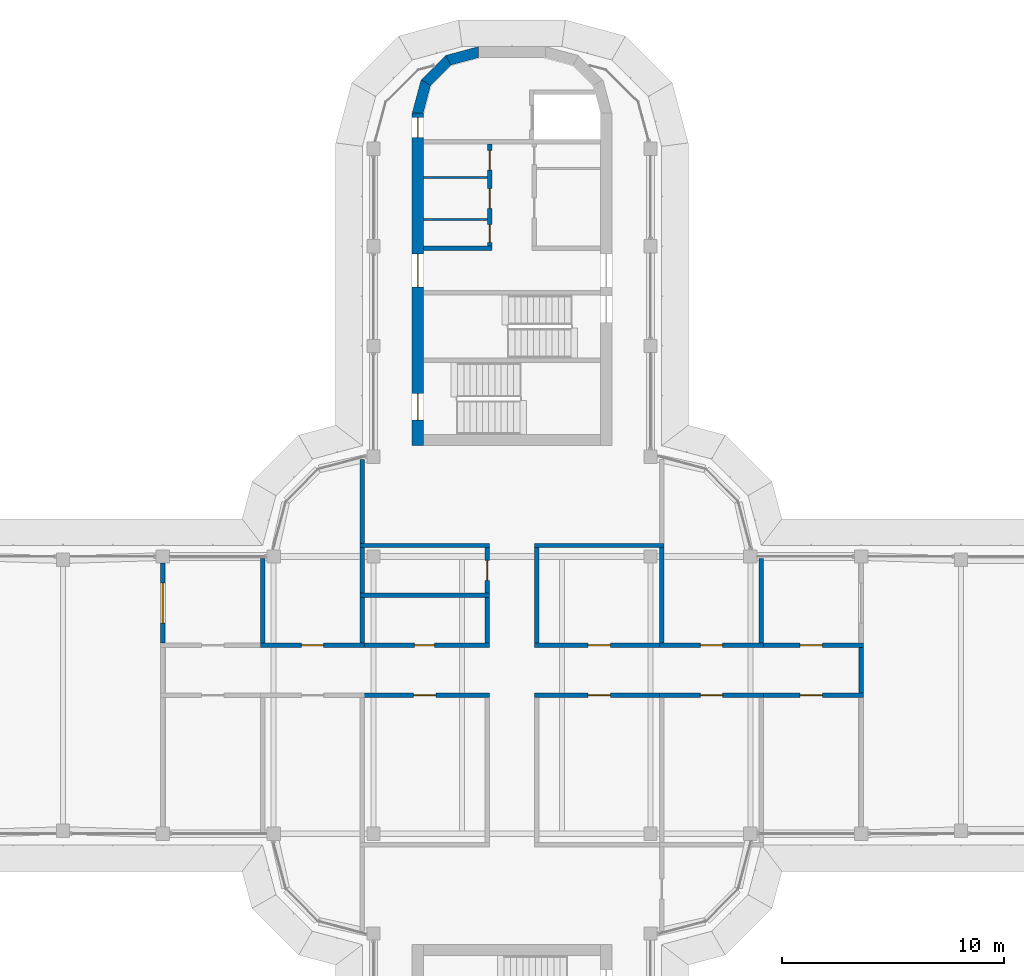
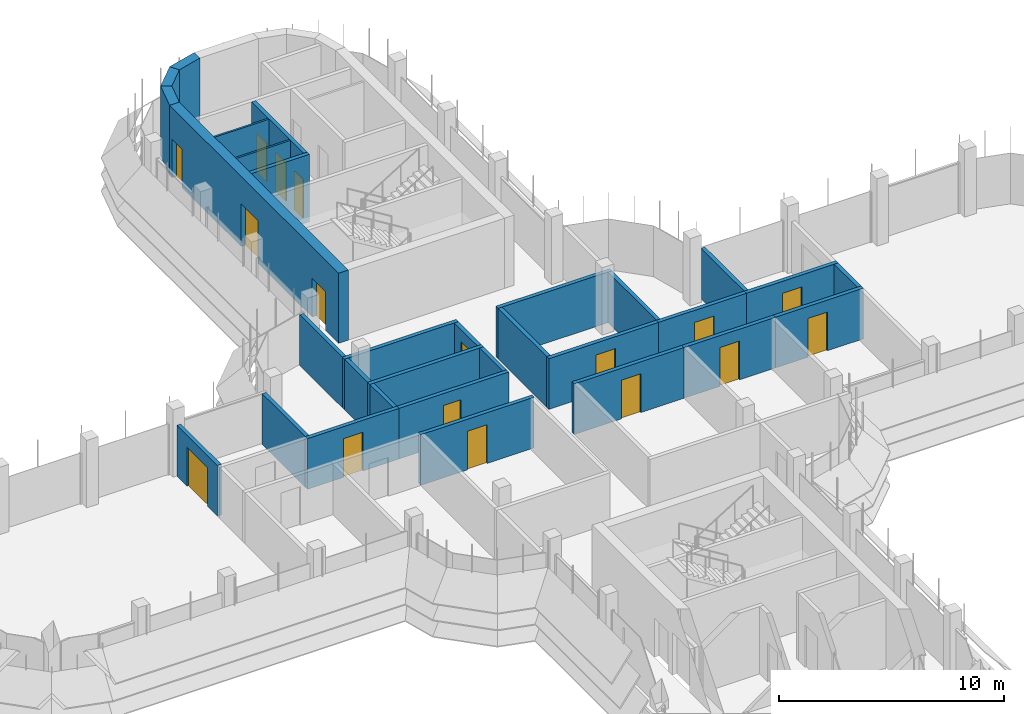
# One storey, part 14 of 19: 31 walls, 17 doors, 17 openings.
"""IFC4 building model written with IfcOpenShell, lengths in metres."""

from ifc_helpers import new_model, si_unit, direction, frame, frame_2d, origin, place, context, subcontext, project, spatial, polyline, rectangle, outline, extrude, material, layer, layer_set, type_object, element, fill, save


model = new_model("IFC4")

# Units and contexts
model_context = context("Model", 3, precision=1e-05, world=origin(), true_north=direction((0.0, 1.0)))
body_context = subcontext(model_context, "Body", "Model", "MODEL_VIEW")
ifc_project = project(units=[si_unit("LENGTHUNIT", "METRE"), si_unit("AREAUNIT", "SQUARE_METRE"), si_unit("VOLUMEUNIT", "CUBIC_METRE"), si_unit("PLANEANGLEUNIT", "RADIAN"), si_unit("MASSUNIT", "GRAM", prefix="KILO")], contexts=[model_context])

# Site, building, storey
site_placement = place(None, origin())
site = spatial("IfcSite", under=ifc_project, at=site_placement, CompositionType="ELEMENT")
building_placement = place(site_placement, origin())
building = spatial("IfcBuilding", under=site, at=building_placement, Name="Zarbagh Exchange Tower", CompositionType="ELEMENT")
storey_placement = place(building_placement, frame((0.0, 0.0, 257.39990234375)))
storey = spatial("IfcBuildingStorey", under=building, at=storey_placement, Name="L63", CompositionType="ELEMENT", Elevation=257.39990234375)

# Walls
ifc_material_1 = material(Name="Dense blockwork", Category="masonry")
ifc_layer_1 = layer(ifc_material_1, 0.10009765625)
ifc_layer_set_1 = layer_set([ifc_layer_1], Name="Core partition 100 mm blockwork")
wall_type_1 = type_object("IfcWallType", Name="Core partition 100 mm blockwork", PredefinedType="PARTITIONING", material=ifc_layer_set_1)
for number, where, z_axis, x_axis, name in (
    (1, (-4.0, 23.35009765625, 0.0), (0.0, 0.0, 1.0), (1.0, 0.0, 0.0), "North core partition wall CUT-W-500"),
    (2, (-4.0, 21.449951171875, 0.0), (0.0, 0.0, 1.0), (1.0, 0.0, 0.0), "North core partition wall CUT-W-690"),
):
    element("IfcWall", number, at=place(storey_placement, frame(where, z_axis=z_axis, x_axis=x_axis)), inside=storey, type_object=wall_type_1, Name=name, PredefinedType="PARTITIONING", context=body_context, shape_type="SweptSolid", body=[
        extrude(rectangle(XDim=2.89990234375, YDim=0.10009765625, at=frame_2d((1.449951171875, 0.0))), origin(), (0.0, 0.0, 1.0), 3.650146484375),
    ])

# Wall, opening, door
ifc_material_2 = material(Name="Fire-rated plasterboard partition")
ifc_layer_2 = layer(ifc_material_2, 0.199951171875)
ifc_layer_set_2 = layer_set([ifc_layer_2], Name="RATED PARTITION 200")
wall_type_2 = type_object("IfcWallType", Name="RATED PARTITION 200", PredefinedType="PARTITIONING", material=ifc_layer_set_2)
wall_1_placement = place(storey_placement, frame((1.02490234375, 2.25, 0.0), z_axis=(0.0, 0.0, 1.0), x_axis=(1.0, 0.0, 0.0)))
wall_1 = element("IfcWall", 3, at=wall_1_placement, inside=storey, type_object=wall_type_2, Name="Partition W-2701", PredefinedType="PARTITIONING", context=body_context, shape_type="SweptSolid", body=[
    extrude(rectangle(XDim=5.8251953125, YDim=0.199951171875, at=frame_2d((2.91259765625, 0.0))), origin(), (0.0, 0.0, 1.0), 2.75),
])
opening_1_placement = place(wall_1_placement, frame((2.41259765625, 0.0, 0.0)))
opening_1 = element("IfcOpeningElement", 4, at=opening_1_placement, cuts=wall_1, Name="Opening D-2704", PredefinedType="OPENING", context=body_context, shape_type="SweptSolid", body=[
    extrude(rectangle(XDim=1.0, YDim=2.10009765625, at=frame_2d((0.5, 1.050048828125))), frame((0.0, 0.10986328125, 0.0), z_axis=(0.0, -1.0, 0.0), x_axis=(1.0, 0.0, 0.0)), (0.0, 0.0, 1.0), 0.219970703125),
])
ifc_material_3 = material(Name="Steel door set", Category="steel")
door_type_1 = type_object("IfcDoorType", Name="FIRE DOOR 1000 X 2100 FD30S", OperationType="NOTDEFINED", PredefinedType="DOOR", material=ifc_material_3)
door_1_placement = place(opening_1_placement, origin())
door_1 = element("IfcDoor", 5, at=door_1_placement, inside=storey, type_object=door_type_1, Name="Door D-2704", OperationType="SINGLE_SWING_RIGHT", OverallHeight=2.10009765625, OverallWidth=1.0, PredefinedType="DOOR", context=body_context, shape_type="SweptSolid", body=[
    extrude(rectangle(XDim=1.0, YDim=2.10009765625, at=frame_2d((0.5, 1.050048828125))), frame((0.0, 0.02490234375, 0.0), z_axis=(0.0, -1.0, 0.0), x_axis=(1.0, 0.0, 0.0)), (0.0, 0.0, 1.0), 0.050048828125),
])
fill(opening_1, door_1)

wall_2_placement = place(storey_placement, frame((6.64990234375, 2.25, 0.0), z_axis=(0.0, 0.0, 1.0), x_axis=(1.0, 0.0, 0.0)))
wall_2 = element("IfcWall", 6, at=wall_2_placement, inside=storey, type_object=wall_type_2, Name="Partition W-2702", PredefinedType="PARTITIONING", context=body_context, shape_type="SweptSolid", body=[
    extrude(rectangle(XDim=4.7001953125, YDim=0.199951171875, at=frame_2d((2.35009765625, 0.0))), origin(), (0.0, 0.0, 1.0), 2.75),
])
opening_2_placement = place(wall_2_placement, frame((1.85009765625, 0.0, 0.0)))
opening_2 = element("IfcOpeningElement", 7, at=opening_2_placement, cuts=wall_2, Name="Opening D-2705", PredefinedType="OPENING", context=body_context, shape_type="SweptSolid", body=[
    extrude(rectangle(XDim=1.0, YDim=2.10009765625, at=frame_2d((0.5, 1.050048828125))), frame((0.0, 0.10986328125, 0.0), z_axis=(0.0, -1.0, 0.0), x_axis=(1.0, 0.0, 0.0)), (0.0, 0.0, 1.0), 0.219970703125),
])
door_2_placement = place(opening_2_placement, origin())
door_2 = element("IfcDoor", 8, at=door_2_placement, inside=storey, type_object=door_type_1, Name="Door D-2705", OperationType="SINGLE_SWING_RIGHT", OverallHeight=2.10009765625, OverallWidth=1.0, PredefinedType="DOOR", context=body_context, shape_type="SweptSolid", body=[
    extrude(rectangle(XDim=1.0, YDim=2.10009765625, at=frame_2d((0.5, 1.050048828125))), frame((0.0, 0.02490234375, 0.0), z_axis=(0.0, -1.0, 0.0), x_axis=(1.0, 0.0, 0.0)), (0.0, 0.0, 1.0), 0.050048828125),
])
fill(opening_2, door_2)

wall_3_placement = place(storey_placement, frame((-6.85009765625, 2.25, 0.0), z_axis=(0.0, 0.0, 1.0), x_axis=(1.0, 0.0, 0.0)))
wall_3 = element("IfcWall", 9, at=wall_3_placement, inside=storey, type_object=wall_type_2, Name="Partition W-2703", PredefinedType="PARTITIONING", context=body_context, shape_type="SweptSolid", body=[
    extrude(rectangle(XDim=5.8251953125, YDim=0.199951171875, at=frame_2d((2.91259765625, 0.0))), origin(), (0.0, 0.0, 1.0), 2.75),
])
opening_3_placement = place(wall_3_placement, frame((2.46240234375, 0.0, 0.0)))
opening_3 = element("IfcOpeningElement", 10, at=opening_3_placement, cuts=wall_3, Name="Opening D-2706", PredefinedType="OPENING", context=body_context, shape_type="SweptSolid", body=[
    extrude(rectangle(XDim=0.89990234375, YDim=2.10009765625, at=frame_2d((0.449951171875, 1.050048828125))), frame((0.0, 0.10986328125, 0.0), z_axis=(0.0, -1.0, 0.0), x_axis=(1.0, 0.0, 0.0)), (0.0, 0.0, 1.0), 0.219970703125),
])
ifc_material_4 = material(Name="Timber door leaf", Category="wood")
door_type_2 = type_object("IfcDoorType", Name="DOOR 900 X 2100", OperationType="NOTDEFINED", PredefinedType="DOOR", material=ifc_material_4)
door_3_placement = place(opening_3_placement, origin())
door_3 = element("IfcDoor", 11, at=door_3_placement, inside=storey, type_object=door_type_2, Name="Door D-2706", OperationType="SINGLE_SWING_RIGHT", OverallHeight=2.10009765625, OverallWidth=0.89990234375, PredefinedType="DOOR", context=body_context, shape_type="SweptSolid", body=[
    extrude(rectangle(XDim=0.89990234375, YDim=2.10009765625, at=frame_2d((0.449951171875, 1.050048828125))), frame((0.0, 0.02490234375, 0.0), z_axis=(0.0, -1.0, 0.0), x_axis=(1.0, 0.0, 0.0)), (0.0, 0.0, 1.0), 0.050048828125),
])
fill(opening_3, door_3)

wall_4_placement = place(storey_placement, frame((-11.35009765625, 2.25, 0.0), z_axis=(0.0, 0.0, 1.0), x_axis=(1.0, 0.0, 0.0)))
wall_4 = element("IfcWall", 12, at=wall_4_placement, inside=storey, type_object=wall_type_2, Name="Partition W-2704", PredefinedType="PARTITIONING", context=body_context, shape_type="SweptSolid", body=[
    extrude(rectangle(XDim=4.7001953125, YDim=0.199951171875, at=frame_2d((2.35009765625, 0.0))), origin(), (0.0, 0.0, 1.0), 2.75),
])
opening_4_placement = place(wall_4_placement, frame((1.85009765625, 0.0, 0.0)))
opening_4 = element("IfcOpeningElement", 13, at=opening_4_placement, cuts=wall_4, Name="Opening D-2708", PredefinedType="OPENING", context=body_context, shape_type="SweptSolid", body=[
    extrude(rectangle(XDim=1.0, YDim=2.10009765625, at=frame_2d((0.5, 1.050048828125))), frame((0.0, 0.10986328125, 0.0), z_axis=(0.0, -1.0, 0.0), x_axis=(1.0, 0.0, 0.0)), (0.0, 0.0, 1.0), 0.219970703125),
])
door_4_placement = place(opening_4_placement, origin())
door_4 = element("IfcDoor", 14, at=door_4_placement, inside=storey, type_object=door_type_1, Name="Door D-2708", OperationType="SINGLE_SWING_RIGHT", OverallHeight=2.10009765625, OverallWidth=1.0, PredefinedType="DOOR", context=body_context, shape_type="SweptSolid", body=[
    extrude(rectangle(XDim=1.0, YDim=2.10009765625, at=frame_2d((0.5, 1.050048828125))), frame((0.0, 0.02490234375, 0.0), z_axis=(0.0, -1.0, 0.0), x_axis=(1.0, 0.0, 0.0)), (0.0, 0.0, 1.0), 0.050048828125),
])
fill(opening_4, door_4)

wall_5_placement = place(storey_placement, frame((6.85009765625, 0.0, 0.0), z_axis=(0.0, 0.0, 1.0), x_axis=(-1.0, 0.0, 0.0)))
wall_5 = element("IfcWall", 15, at=wall_5_placement, inside=storey, type_object=wall_type_2, Name="Partition W-2705", PredefinedType="PARTITIONING", context=body_context, shape_type="SweptSolid", body=[
    extrude(rectangle(XDim=5.8251953125, YDim=0.199951171875, at=frame_2d((2.91259765625, 0.0))), origin(), (0.0, 0.0, 1.0), 2.75),
])
opening_5_placement = place(wall_5_placement, frame((2.41259765625, 0.0, 0.0)))
opening_5 = element("IfcOpeningElement", 16, at=opening_5_placement, cuts=wall_5, Name="Opening D-2709", PredefinedType="OPENING", context=body_context, shape_type="SweptSolid", body=[
    extrude(rectangle(XDim=1.0, YDim=2.10009765625, at=frame_2d((0.5, 1.050048828125))), frame((0.0, 0.10986328125, 0.0), z_axis=(0.0, -1.0, 0.0), x_axis=(1.0, 0.0, 0.0)), (0.0, 0.0, 1.0), 0.219970703125),
])
door_5_placement = place(opening_5_placement, origin())
door_5 = element("IfcDoor", 17, at=door_5_placement, inside=storey, type_object=door_type_1, Name="Door D-2709", OperationType="SINGLE_SWING_RIGHT", OverallHeight=2.10009765625, OverallWidth=1.0, PredefinedType="DOOR", context=body_context, shape_type="SweptSolid", body=[
    extrude(rectangle(XDim=1.0, YDim=2.10009765625, at=frame_2d((0.5, 1.050048828125))), frame((0.0, 0.02490234375, 0.0), z_axis=(0.0, -1.0, 0.0), x_axis=(1.0, 0.0, 0.0)), (0.0, 0.0, 1.0), 0.050048828125),
])
fill(opening_5, door_5)

wall_6_placement = place(storey_placement, frame((11.35009765625, 0.0, 0.0), z_axis=(0.0, 0.0, 1.0), x_axis=(-1.0, 0.0, 0.0)))
wall_6 = element("IfcWall", 18, at=wall_6_placement, inside=storey, type_object=wall_type_2, Name="Partition W-2706", PredefinedType="PARTITIONING", context=body_context, shape_type="SweptSolid", body=[
    extrude(rectangle(XDim=4.7001953125, YDim=0.199951171875, at=frame_2d((2.35009765625, 0.0))), origin(), (0.0, 0.0, 1.0), 2.75),
])
opening_6_placement = place(wall_6_placement, frame((1.85009765625, 0.0, 0.0)))
opening_6 = element("IfcOpeningElement", 19, at=opening_6_placement, cuts=wall_6, Name="Opening D-2710", PredefinedType="OPENING", context=body_context, shape_type="SweptSolid", body=[
    extrude(rectangle(XDim=1.0, YDim=2.10009765625, at=frame_2d((0.5, 1.050048828125))), frame((0.0, 0.10986328125, 0.0), z_axis=(0.0, -1.0, 0.0), x_axis=(1.0, 0.0, 0.0)), (0.0, 0.0, 1.0), 0.219970703125),
])
door_6_placement = place(opening_6_placement, origin())
door_6 = element("IfcDoor", 20, at=door_6_placement, inside=storey, type_object=door_type_1, Name="Door D-2710", OperationType="SINGLE_SWING_RIGHT", OverallHeight=2.10009765625, OverallWidth=1.0, PredefinedType="DOOR", context=body_context, shape_type="SweptSolid", body=[
    extrude(rectangle(XDim=1.0, YDim=2.10009765625, at=frame_2d((0.5, 1.050048828125))), frame((0.0, 0.02490234375, 0.0), z_axis=(0.0, -1.0, 0.0), x_axis=(1.0, 0.0, 0.0)), (0.0, 0.0, 1.0), 0.050048828125),
])
fill(opening_6, door_6)

wall_7_placement = place(storey_placement, frame((-1.02490234375, 0.0, 0.0), z_axis=(0.0, 0.0, 1.0), x_axis=(-1.0, 0.0, 0.0)))
wall_7 = element("IfcWall", 21, at=wall_7_placement, inside=storey, type_object=wall_type_2, Name="Partition W-2707", PredefinedType="PARTITIONING", context=body_context, shape_type="SweptSolid", body=[
    extrude(rectangle(XDim=5.8251953125, YDim=0.199951171875, at=frame_2d((2.91259765625, 0.0))), origin(), (0.0, 0.0, 1.0), 2.75),
])
opening_7_placement = place(wall_7_placement, frame((2.41259765625, 0.0, 0.0)))
opening_7 = element("IfcOpeningElement", 22, at=opening_7_placement, cuts=wall_7, Name="Opening D-2712", PredefinedType="OPENING", context=body_context, shape_type="SweptSolid", body=[
    extrude(rectangle(XDim=1.0, YDim=2.10009765625, at=frame_2d((0.5, 1.050048828125))), frame((0.0, 0.10986328125, 0.0), z_axis=(0.0, -1.0, 0.0), x_axis=(1.0, 0.0, 0.0)), (0.0, 0.0, 1.0), 0.219970703125),
])
door_7_placement = place(opening_7_placement, origin())
door_7 = element("IfcDoor", 23, at=door_7_placement, inside=storey, type_object=door_type_1, Name="Door D-2712", OperationType="SINGLE_SWING_RIGHT", OverallHeight=2.10009765625, OverallWidth=1.0, PredefinedType="DOOR", context=body_context, shape_type="SweptSolid", body=[
    extrude(rectangle(XDim=1.0, YDim=2.10009765625, at=frame_2d((0.5, 1.050048828125))), frame((0.0, 0.02490234375, 0.0), z_axis=(0.0, -1.0, 0.0), x_axis=(1.0, 0.0, 0.0)), (0.0, 0.0, 1.0), 0.050048828125),
])
fill(opening_7, door_7)

wall_8_placement = place(storey_placement, frame((11.14990234375, 2.25, 0.0), z_axis=(0.0, 0.0, 1.0), x_axis=(1.0, 0.0, 0.0)))
wall_8 = element("IfcWall", 24, at=wall_8_placement, inside=storey, type_object=wall_type_2, Name="Partition W-2709", PredefinedType="PARTITIONING", context=body_context, shape_type="SweptSolid", body=[
    extrude(rectangle(XDim=4.7001953125, YDim=0.199951171875, at=frame_2d((2.35009765625, 0.0))), origin(), (0.0, 0.0, 1.0), 2.75),
])
opening_8_placement = place(wall_8_placement, frame((1.85009765625, 0.0, 0.0)))
opening_8 = element("IfcOpeningElement", 25, at=opening_8_placement, cuts=wall_8, Name="Opening D-2702", PredefinedType="OPENING", context=body_context, shape_type="SweptSolid", body=[
    extrude(rectangle(XDim=1.0, YDim=2.10009765625, at=frame_2d((0.5, 1.050048828125))), frame((0.0, 0.10986328125, 0.0), z_axis=(0.0, -1.0, 0.0), x_axis=(1.0, 0.0, 0.0)), (0.0, 0.0, 1.0), 0.219970703125),
])
door_8_placement = place(opening_8_placement, origin())
door_8 = element("IfcDoor", 26, at=door_8_placement, inside=storey, type_object=door_type_1, Name="Door D-2702", OperationType="SINGLE_SWING_RIGHT", OverallHeight=2.10009765625, OverallWidth=1.0, PredefinedType="DOOR", context=body_context, shape_type="SweptSolid", body=[
    extrude(rectangle(XDim=1.0, YDim=2.10009765625, at=frame_2d((0.5, 1.050048828125))), frame((0.0, 0.02490234375, 0.0), z_axis=(0.0, -1.0, 0.0), x_axis=(1.0, 0.0, 0.0)), (0.0, 0.0, 1.0), 0.050048828125),
])
fill(opening_8, door_8)

wall_9_placement = place(storey_placement, frame((15.85009765625, 0.0, 0.0), z_axis=(0.0, 0.0, 1.0), x_axis=(-1.0, 0.0, 0.0)))
wall_9 = element("IfcWall", 27, at=wall_9_placement, inside=storey, type_object=wall_type_2, Name="Partition W-2710", PredefinedType="PARTITIONING", context=body_context, shape_type="SweptSolid", body=[
    extrude(rectangle(XDim=4.7001953125, YDim=0.199951171875, at=frame_2d((2.35009765625, 0.0))), origin(), (0.0, 0.0, 1.0), 2.75),
])
opening_9_placement = place(wall_9_placement, frame((1.85009765625, 0.0, 0.0)))
opening_9 = element("IfcOpeningElement", 28, at=opening_9_placement, cuts=wall_9, Name="Opening D-2703", PredefinedType="OPENING", context=body_context, shape_type="SweptSolid", body=[
    extrude(rectangle(XDim=1.0, YDim=2.10009765625, at=frame_2d((0.5, 1.050048828125))), frame((0.0, 0.10986328125, 0.0), z_axis=(0.0, -1.0, 0.0), x_axis=(1.0, 0.0, 0.0)), (0.0, 0.0, 1.0), 0.219970703125),
])
door_9_placement = place(opening_9_placement, origin())
door_9 = element("IfcDoor", 29, at=door_9_placement, inside=storey, type_object=door_type_1, Name="Door D-2703", OperationType="SINGLE_SWING_RIGHT", OverallHeight=2.10009765625, OverallWidth=1.0, PredefinedType="DOOR", context=body_context, shape_type="SweptSolid", body=[
    extrude(rectangle(XDim=1.0, YDim=2.10009765625, at=frame_2d((0.5, 1.050048828125))), frame((0.0, 0.02490234375, 0.0), z_axis=(0.0, -1.0, 0.0), x_axis=(1.0, 0.0, 0.0)), (0.0, 0.0, 1.0), 0.050048828125),
])
fill(opening_9, door_9)

# Walls
wall_10_placement = place(storey_placement, frame((15.75, 0.10009765625, 0.0), z_axis=(0.0, 0.0, 1.0), x_axis=(0.0, 1.0, 0.0)))
element("IfcWall", 30, at=wall_10_placement, inside=storey, type_object=wall_type_2, Name="Partition W-2711", PredefinedType="PARTITIONING", context=body_context, shape_type="SweptSolid", body=[
    extrude(rectangle(XDim=2.0498046875, YDim=0.199951171875, at=frame_2d((1.02490234375, 0.0))), origin(), (0.0, 0.0, 1.0), 2.75),
])
wall_11_placement = place(storey_placement, frame((1.125, 2.35009765625, 0.0), z_axis=(0.0, 0.0, 1.0), x_axis=(0.0, 1.0, 0.0)))
element("IfcWall", 31, at=wall_11_placement, inside=storey, type_object=wall_type_2, Name="Partition W-2715", PredefinedType="PARTITIONING", context=body_context, shape_type="SweptSolid", body=[
    extrude(rectangle(XDim=4.2998046875, YDim=0.199951171875, at=frame_2d((2.14990234375, 0.0))), origin(), (0.0, 0.0, 1.0), 2.75),
])
wall_12_placement = place(storey_placement, frame((-1.125, 2.35009765625, 0.0), z_axis=(0.0, 0.0, 1.0), x_axis=(0.0, 1.0, 0.0)))
element("IfcWall", 32, at=wall_12_placement, inside=storey, type_object=wall_type_2, Name="Partition W-2716", PredefinedType="PARTITIONING", context=body_context, shape_type="SweptSolid", body=[
    extrude(rectangle(XDim=2.0498046875, YDim=0.199951171875, at=frame_2d((1.02490234375, 0.0))), origin(), (0.0, 0.0, 1.0), 2.75),
])

# Wall, opening, door
wall_13_placement = place(storey_placement, frame((-1.125, 4.60009765625, 0.0), z_axis=(0.0, 0.0, 1.0), x_axis=(0.0, 1.0, 0.0)))
wall_13 = element("IfcWall", 33, at=wall_13_placement, inside=storey, type_object=wall_type_2, Name="Partition W-2717", PredefinedType="PARTITIONING", context=body_context, shape_type="SweptSolid", body=[
    extrude(rectangle(XDim=2.0498046875, YDim=0.199951171875, at=frame_2d((1.02490234375, 0.0))), origin(), (0.0, 0.0, 1.0), 2.75),
])
opening_10_placement = place(wall_13_placement, frame((0.574951171875, 0.0, 0.0)))
opening_10 = element("IfcOpeningElement", 34, at=opening_10_placement, cuts=wall_13, Name="Opening D-2707", PredefinedType="OPENING", context=body_context, shape_type="SweptSolid", body=[
    extrude(rectangle(XDim=0.89990234375, YDim=2.10009765625, at=frame_2d((0.449951171875, 1.050048828125))), frame((0.0, 0.10986328125, 0.0), z_axis=(0.0, -1.0, 0.0), x_axis=(1.0, 0.0, 0.0)), (0.0, 0.0, 1.0), 0.219970703125),
])
door_10_placement = place(opening_10_placement, origin())
door_10 = element("IfcDoor", 35, at=door_10_placement, inside=storey, type_object=door_type_2, Name="Door D-2707", OperationType="SINGLE_SWING_RIGHT", OverallHeight=2.10009765625, OverallWidth=0.89990234375, PredefinedType="DOOR", context=body_context, shape_type="SweptSolid", body=[
    extrude(rectangle(XDim=0.89990234375, YDim=2.10009765625, at=frame_2d((0.449951171875, 1.050048828125))), frame((0.0, 0.02490234375, 0.0), z_axis=(0.0, -1.0, 0.0), x_axis=(1.0, 0.0, 0.0)), (0.0, 0.0, 1.0), 0.050048828125),
])
fill(opening_10, door_10)

# Walls
for number, where, z_axis, x_axis, name in (
    (36, (1.02490234375, 6.75, 0.0), (0.0, 0.0, 1.0), (1.0, 0.0, 0.0), "Partition W-2720"),
    (37, (-6.85009765625, 6.75, 0.0), (0.0, 0.0, 1.0), (1.0, 0.0, 0.0), "Partition W-2722"),
):
    element("IfcWall", number, at=place(storey_placement, frame(where, z_axis=z_axis, x_axis=x_axis)), inside=storey, type_object=wall_type_2, Name=name, PredefinedType="PARTITIONING", context=body_context, shape_type="SweptSolid", body=[
        extrude(rectangle(XDim=5.8251953125, YDim=0.199951171875, at=frame_2d((2.91259765625, 0.0))), origin(), (0.0, 0.0, 1.0), 2.75),
    ])
wall_14_placement = place(storey_placement, frame((-6.75, 6.85009765625, 0.0), z_axis=(0.0, 0.0, 1.0), x_axis=(0.0, 1.0, 0.0)))
element("IfcWall", 38, at=wall_14_placement, inside=storey, type_object=wall_type_2, Name="Partition W-2723", PredefinedType="PARTITIONING", context=body_context, shape_type="SweptSolid", body=[
    extrude(rectangle(XDim=3.77978515625, YDim=0.199951171875, at=frame_2d((1.889892578125, 0.0))), origin(), (0.0, 0.0, 1.0), 2.75),
])
wall_15_placement = place(storey_placement, frame((6.75, 2.35009765625, 0.0), z_axis=(0.0, 0.0, 1.0), x_axis=(0.0, 1.0, 0.0)))
element("IfcWall", 39, at=wall_15_placement, inside=storey, type_object=wall_type_2, Name="Partition W-2728", PredefinedType="PARTITIONING", context=body_context, shape_type="SweptSolid", body=[
    extrude(rectangle(XDim=4.2998046875, YDim=0.199951171875, at=frame_2d((2.14990234375, 0.0))), origin(), (0.0, 0.0, 1.0), 2.75),
])
wall_16_placement = place(storey_placement, frame((11.25, 2.35009765625, 0.0), z_axis=(0.0, 0.0, 1.0), x_axis=(0.0, 1.0, 0.0)))
element("IfcWall", 40, at=wall_16_placement, inside=storey, type_object=wall_type_2, Name="Partition W-2729", PredefinedType="PARTITIONING", context=body_context, shape_type="SweptSolid", body=[
    extrude(rectangle(XDim=3.81982421875, YDim=0.199951171875, at=frame_2d((1.909912109375, 0.0))), origin(), (0.0, 0.0, 1.0), 2.75),
])
wall_17_placement = place(storey_placement, frame((-6.85009765625, 4.5, 0.0), z_axis=(0.0, 0.0, 1.0), x_axis=(1.0, 0.0, 0.0)))
element("IfcWall", 41, at=wall_17_placement, inside=storey, type_object=wall_type_2, Name="Partition W-2730", PredefinedType="PARTITIONING", context=body_context, shape_type="SweptSolid", body=[
    extrude(rectangle(XDim=5.8251953125, YDim=0.199951171875, at=frame_2d((2.91259765625, 0.0))), origin(), (0.0, 0.0, 1.0), 2.75),
])
for number, where, z_axis, x_axis, name in (
    (42, (-6.75, 2.35009765625, 0.0), (0.0, 0.0, 1.0), (0.0, 1.0, 0.0), "Partition W-2731"),
    (43, (-6.75, 4.60009765625, 0.0), (0.0, 0.0, 1.0), (0.0, 1.0, 0.0), "Partition W-2732"),
):
    element("IfcWall", number, at=place(storey_placement, frame(where, z_axis=z_axis, x_axis=x_axis)), inside=storey, type_object=wall_type_2, Name=name, PredefinedType="PARTITIONING", context=body_context, shape_type="SweptSolid", body=[
        extrude(rectangle(XDim=2.0498046875, YDim=0.199951171875, at=frame_2d((1.02490234375, 0.0))), origin(), (0.0, 0.0, 1.0), 2.75),
    ])
wall_18_placement = place(storey_placement, frame((-11.25, 2.35009765625, 0.0), z_axis=(0.0, 0.0, 1.0), x_axis=(0.0, 1.0, 0.0)))
element("IfcWall", 44, at=wall_18_placement, inside=storey, type_object=wall_type_2, Name="Partition W-2733", PredefinedType="PARTITIONING", context=body_context, shape_type="SweptSolid", body=[
    extrude(rectangle(XDim=3.81982421875, YDim=0.199951171875, at=frame_2d((1.909912109375, 0.0))), origin(), (0.0, 0.0, 1.0), 2.75),
])

# Wall, opening, door
wall_19_placement = place(storey_placement, frame((-15.75, 2.35009765625, 0.0), z_axis=(0.0, 0.0, 1.0), x_axis=(0.0, 1.0, 0.0)))
wall_19 = element("IfcWall", 45, at=wall_19_placement, inside=storey, type_object=wall_type_2, Name="Partition W-2741", PredefinedType="PARTITIONING", context=body_context, shape_type="SweptSolid", body=[
    extrude(rectangle(XDim=3.599853515625, YDim=0.199951171875, at=frame_2d((1.7998046875, 0.0))), origin(), (0.0, 0.0, 1.0), 2.75),
])
opening_11_placement = place(wall_19_placement, frame((0.89990234375, 0.0, 0.0)))
opening_11 = element("IfcOpeningElement", 46, at=opening_11_placement, cuts=wall_19, Name="Opening D-2714", PredefinedType="OPENING", context=body_context, shape_type="SweptSolid", body=[
    extrude(rectangle(XDim=1.800048828125, YDim=2.10009765625, at=frame_2d((0.89990234375, 1.050048828125))), frame((0.0, 0.10986328125, 0.0), z_axis=(0.0, -1.0, 0.0), x_axis=(1.0, 0.0, 0.0)), (0.0, 0.0, 1.0), 0.219970703125),
])
door_type_3 = type_object("IfcDoorType", Name="FIRE DOUBLE DOOR 1800 X 2100 FD30S", OperationType="DOUBLE_DOOR_SINGLE_SWING", PredefinedType="DOOR", material=ifc_material_3)
door_11_placement = place(opening_11_placement, origin())
door_11 = element("IfcDoor", 47, at=door_11_placement, inside=storey, type_object=door_type_3, Name="Door D-2714", OperationType="DOUBLE_DOOR_SINGLE_SWING", OverallHeight=2.10009765625, OverallWidth=1.800048828125, PredefinedType="DOOR", context=body_context, shape_type="SweptSolid", body=[
    extrude(rectangle(XDim=1.800048828125, YDim=2.10009765625, at=frame_2d((0.89990234375, 1.050048828125))), frame((0.0, 0.02490234375, 0.0), z_axis=(0.0, -1.0, 0.0), x_axis=(1.0, 0.0, 0.0)), (0.0, 0.0, 1.0), 0.050048828125),
])
fill(opening_11, door_11)

# Walls
ifc_material_5 = material(Name="Concrete C40/50", Category="concrete")
ifc_layer_3 = layer(ifc_material_5, 0.5)
ifc_layer_set_3 = layer_set([ifc_layer_3], Name="RC core corner wall 500 C40/50")
wall_type_3 = type_object("IfcWallType", Name="RC core corner wall 500 C40/50", PredefinedType="SHEAR", material=ifc_layer_set_3)
wall_20_placement = place(storey_placement, origin())
element("IfcWall", 48, at=wall_20_placement, inside=storey, type_object=wall_type_3, Name="CW10 core N corner W", PredefinedType="SHEAR", context=body_context, shape_type="SweptSolid", body=[
    extrude(outline(polyline([(-4.5, 26.25), (-4.09814453125, 27.75), (-3.6650390625, 27.5), (-4.0, 26.25), (-4.5, 26.25)])), origin(), (0.0, 0.0, 1.0), 3.800048828125),
])
wall_21_placement = place(storey_placement, origin())
element("IfcWall", 49, at=wall_21_placement, inside=storey, type_object=wall_type_3, Name="CW10 core N corner W", PredefinedType="SHEAR", context=body_context, shape_type="SweptSolid", body=[
    extrude(outline(polyline([(-4.09814453125, 27.75), (-3.0, 28.84814453125), (-2.75, 28.4150390625), (-3.6650390625, 27.5), (-4.09814453125, 27.75)])), origin(), (0.0, 0.0, 1.0), 3.800048828125),
])
wall_22_placement = place(storey_placement, origin())
element("IfcWall", 50, at=wall_22_placement, inside=storey, type_object=wall_type_3, Name="CW10 core N corner W", PredefinedType="SHEAR", context=body_context, shape_type="SweptSolid", body=[
    extrude(outline(polyline([(-3.0, 28.84814453125), (-1.5, 29.25), (-1.5, 28.75), (-2.75, 28.4150390625), (-3.0, 28.84814453125)])), origin(), (0.0, 0.0, 1.0), 3.800048828125),
])

# Wall, openings, doors
ifc_layer_4 = layer(ifc_material_5, 0.5)
ifc_layer_set_4 = layer_set([ifc_layer_4], Name="RC core wall 500 C40/50")
wall_type_4 = type_object("IfcWallType", Name="RC core wall 500 C40/50", PredefinedType="SHEAR", material=ifc_layer_set_4)
wall_23_placement = place(storey_placement, frame((-4.25, 11.25, 0.0), z_axis=(0.0, 0.0, 1.0), x_axis=(0.0, 1.0, 0.0)))
wall_23 = element("IfcWall", 51, at=wall_23_placement, inside=storey, type_object=wall_type_4, Name="CW9 core N W", PredefinedType="SHEAR", context=body_context, shape_type="SweptSolid", body=[
    extrude(rectangle(XDim=15.0, YDim=0.5, at=frame_2d((7.5, 0.0))), origin(), (0.0, 0.0, 1.0), 3.800048828125),
])
opening_12_placement = place(wall_23_placement, frame((7.14990234375, 0.0, 0.0)))
opening_12 = element("IfcOpeningElement", 52, at=opening_12_placement, cuts=wall_23, Name="Opening CD1-1500", PredefinedType="OPENING", context=body_context, shape_type="SweptSolid", body=[
    extrude(rectangle(XDim=1.5, YDim=2.300048828125, at=frame_2d((0.75, 1.14990234375))), frame((0.0, 0.260009765625, 0.0), z_axis=(0.0, -1.0, 0.0), x_axis=(1.0, 0.0, 0.0)), (0.0, 0.0, 1.0), 0.52001953125),
])
opening_13_placement = place(wall_23_placement, frame((13.89990234375, 0.0, 0.0)))
opening_13 = element("IfcOpeningElement", 53, at=opening_13_placement, cuts=wall_23, Name="Opening CD2-900", PredefinedType="OPENING", context=body_context, shape_type="SweptSolid", body=[
    extrude(rectangle(XDim=0.89990234375, YDim=2.10009765625, at=frame_2d((0.449951171875, 1.050048828125))), frame((0.0, 0.260009765625, 0.0), z_axis=(0.0, -1.0, 0.0), x_axis=(1.0, 0.0, 0.0)), (0.0, 0.0, 1.0), 0.52001953125),
])
opening_14_placement = place(wall_23_placement, frame((1.14990234375, 0.0, 0.0)))
opening_14 = element("IfcOpeningElement", 54, at=opening_14_placement, cuts=wall_23, Name="Opening SD1-1200", PredefinedType="OPENING", context=body_context, shape_type="SweptSolid", body=[
    extrude(rectangle(XDim=1.199951171875, YDim=2.10009765625, at=frame_2d((0.60009765625, 1.050048828125))), frame((0.0, 0.260009765625, 0.0), z_axis=(0.0, -1.0, 0.0), x_axis=(1.0, 0.0, 0.0)), (0.0, 0.0, 1.0), 0.52001953125),
])
ifc_material_6 = material(Name="Steel", Category="steel")
door_type_4 = type_object("IfcDoorType", Name="Exit stair door 1200 x 2100", OperationType="NOTDEFINED", PredefinedType="DOOR", material=ifc_material_6)
door_12_placement = place(opening_14_placement, origin())
door_12 = element("IfcDoor", 55, at=door_12_placement, inside=storey, type_object=door_type_4, Name="North core stair door ST2", OperationType="SINGLE_SWING_LEFT", OverallHeight=2.10009765625, OverallWidth=1.199951171875, PredefinedType="DOOR", context=body_context, shape_type="SweptSolid", body=[
    extrude(rectangle(XDim=1.199951171875, YDim=2.10009765625, at=frame_2d((0.60009765625, 1.050048828125))), frame((0.0, 0.02490234375, 0.0), z_axis=(0.0, -1.0, 0.0), x_axis=(1.0, 0.0, 0.0)), (0.0, 0.0, 1.0), 0.050048828125),
])
fill(opening_14, door_12)
door_type_5 = type_object("IfcDoorType", Name="Firefighting lobby door 900 x 2100", OperationType="NOTDEFINED", PredefinedType="DOOR", material=ifc_material_6)
door_13_placement = place(opening_13_placement, origin())
door_13 = element("IfcDoor", 56, at=door_13_placement, inside=storey, type_object=door_type_5, Name="North core firefighting lobby door FF-W", OperationType="SINGLE_SWING_LEFT", OverallHeight=2.10009765625, OverallWidth=0.89990234375, PredefinedType="DOOR", context=body_context, shape_type="SweptSolid", body=[
    extrude(rectangle(XDim=0.89990234375, YDim=2.10009765625, at=frame_2d((0.449951171875, 1.050048828125))), frame((0.0, 0.02490234375, 0.0), z_axis=(0.0, -1.0, 0.0), x_axis=(1.0, 0.0, 0.0)), (0.0, 0.0, 1.0), 0.050048828125),
])
fill(opening_13, door_13)
door_type_6 = type_object("IfcDoorType", Name="Lift lobby double door 1500 x 2300", OperationType="NOTDEFINED", PredefinedType="DOOR", material=ifc_material_6)
door_14_placement = place(opening_12_placement, origin())
door_14 = element("IfcDoor", 57, at=door_14_placement, inside=storey, type_object=door_type_6, Name="North core lift lobby door LOBBY-W", OperationType="DOUBLE_DOOR_SINGLE_SWING", OverallHeight=2.300048828125, OverallWidth=1.5, PredefinedType="DOOR", context=body_context, shape_type="SweptSolid", body=[
    extrude(rectangle(XDim=1.5, YDim=2.300048828125, at=frame_2d((0.75, 1.14990234375))), frame((0.0, 0.02490234375, 0.0), z_axis=(0.0, -1.0, 0.0), x_axis=(1.0, 0.0, 0.0)), (0.0, 0.0, 1.0), 0.050048828125),
])
fill(opening_12, door_14)

# Wall
ifc_layer_5 = layer(ifc_material_1, 0.199951171875)
ifc_layer_set_5 = layer_set([ifc_layer_5], Name="Shaft wall 200 mm blockwork")
wall_type_5 = type_object("IfcWallType", Name="Shaft wall 200 mm blockwork", PredefinedType="PARTITIONING", material=ifc_layer_set_5)
wall_24_placement = place(storey_placement, frame((-4.0, 20.14990234375, 0.0), z_axis=(0.0, 0.0, 1.0), x_axis=(1.0, 0.0, 0.0)))
element("IfcWall", 58, at=wall_24_placement, inside=storey, type_object=wall_type_5, Name="North core shaft wall AB-W", PredefinedType="PARTITIONING", context=body_context, shape_type="SweptSolid", body=[
    extrude(rectangle(XDim=3.10009765625, YDim=0.199951171875, at=frame_2d((1.550048828125, 0.0))), origin(), (0.0, 0.0, 1.0), 3.650146484375),
])

# Wall, openings, doors
wall_25_placement = place(storey_placement, frame((-1.0, 24.85009765625, 0.0), z_axis=(0.0, 0.0, 1.0), x_axis=(0.0, -1.0, 0.0)))
wall_25 = element("IfcWall", 59, at=wall_25_placement, inside=storey, type_object=wall_type_5, Name="North core shaft wall LW-W", PredefinedType="PARTITIONING", context=body_context, shape_type="SweptSolid", body=[
    extrude(rectangle(XDim=4.60009765625, YDim=0.199951171875, at=frame_2d((2.300048828125, 0.0))), origin(), (0.0, 0.0, 1.0), 3.650146484375),
])
opening_15_placement = place(wall_25_placement, frame((0.27490234375, 0.0, 0.0)))
opening_15 = element("IfcOpeningElement", 60, at=opening_15_placement, cuts=wall_25, Name="Opening CD3-900", PredefinedType="OPENING", context=body_context, shape_type="SweptSolid", body=[
    extrude(rectangle(XDim=0.89990234375, YDim=2.10009765625, at=frame_2d((0.449951171875, 1.050048828125))), frame((0.0, 0.10986328125, 0.0), z_axis=(0.0, -1.0, 0.0), x_axis=(1.0, 0.0, 0.0)), (0.0, 0.0, 1.0), 0.219970703125),
])
opening_16_placement = place(wall_25_placement, frame((2.0, 0.0, 0.0)))
opening_16 = element("IfcOpeningElement", 61, at=opening_16_placement, cuts=wall_25, Name="Opening CD3-900", PredefinedType="OPENING", context=body_context, shape_type="SweptSolid", body=[
    extrude(rectangle(XDim=0.89990234375, YDim=2.10009765625, at=frame_2d((0.449951171875, 1.050048828125))), frame((0.0, 0.10986328125, 0.0), z_axis=(0.0, -1.0, 0.0), x_axis=(1.0, 0.0, 0.0)), (0.0, 0.0, 1.0), 0.219970703125),
])
opening_17_placement = place(wall_25_placement, frame((3.625, 0.0, 0.0)))
opening_17 = element("IfcOpeningElement", 62, at=opening_17_placement, cuts=wall_25, Name="Opening CD3-800", PredefinedType="OPENING", context=body_context, shape_type="SweptSolid", body=[
    extrude(rectangle(XDim=0.800048828125, YDim=2.10009765625, at=frame_2d((0.39990234375, 1.050048828125))), frame((0.0, 0.10986328125, 0.0), z_axis=(0.0, -1.0, 0.0), x_axis=(1.0, 0.0, 0.0)), (0.0, 0.0, 1.0), 0.219970703125),
])
door_type_7 = type_object("IfcDoorType", Name="Core room door 800 x 2100", OperationType="NOTDEFINED", PredefinedType="DOOR", material=ifc_material_6)
door_15_placement = place(opening_17_placement, origin())
door_15 = element("IfcDoor", 63, at=door_15_placement, inside=storey, type_object=door_type_7, Name="North core IT room door RD-W-2", OperationType="SINGLE_SWING_RIGHT", OverallHeight=2.10009765625, OverallWidth=0.800048828125, PredefinedType="DOOR", context=body_context, shape_type="SweptSolid", body=[
    extrude(rectangle(XDim=0.800048828125, YDim=2.10009765625, at=frame_2d((0.39990234375, 1.050048828125))), frame((0.0, 0.02490234375, 0.0), z_axis=(0.0, -1.0, 0.0), x_axis=(1.0, 0.0, 0.0)), (0.0, 0.0, 1.0), 0.050048828125),
])
fill(opening_17, door_15)
door_type_8 = type_object("IfcDoorType", Name="Core room door 900 x 2100", OperationType="NOTDEFINED", PredefinedType="DOOR", material=ifc_material_6)
door_16_placement = place(opening_15_placement, origin())
door_16 = element("IfcDoor", 64, at=door_16_placement, inside=storey, type_object=door_type_8, Name="North core Cleaner's store door RD-W-0", OperationType="SINGLE_SWING_LEFT", OverallHeight=2.10009765625, OverallWidth=0.89990234375, PredefinedType="DOOR", context=body_context, shape_type="SweptSolid", body=[
    extrude(rectangle(XDim=0.89990234375, YDim=2.10009765625, at=frame_2d((0.449951171875, 1.050048828125))), frame((0.0, 0.02490234375, 0.0), z_axis=(0.0, -1.0, 0.0), x_axis=(1.0, 0.0, 0.0)), (0.0, 0.0, 1.0), 0.050048828125),
])
fill(opening_15, door_16)
door_17_placement = place(opening_16_placement, origin())
door_17 = element("IfcDoor", 65, at=door_17_placement, inside=storey, type_object=door_type_8, Name="North core Pantry door RD-W-1", OperationType="SINGLE_SWING_RIGHT", OverallHeight=2.10009765625, OverallWidth=0.89990234375, PredefinedType="DOOR", context=body_context, shape_type="SweptSolid", body=[
    extrude(rectangle(XDim=0.89990234375, YDim=2.10009765625, at=frame_2d((0.449951171875, 1.050048828125))), frame((0.0, 0.02490234375, 0.0), z_axis=(0.0, -1.0, 0.0), x_axis=(1.0, 0.0, 0.0)), (0.0, 0.0, 1.0), 0.050048828125),
])
fill(opening_16, door_17)

save(model, "model.ifc")
